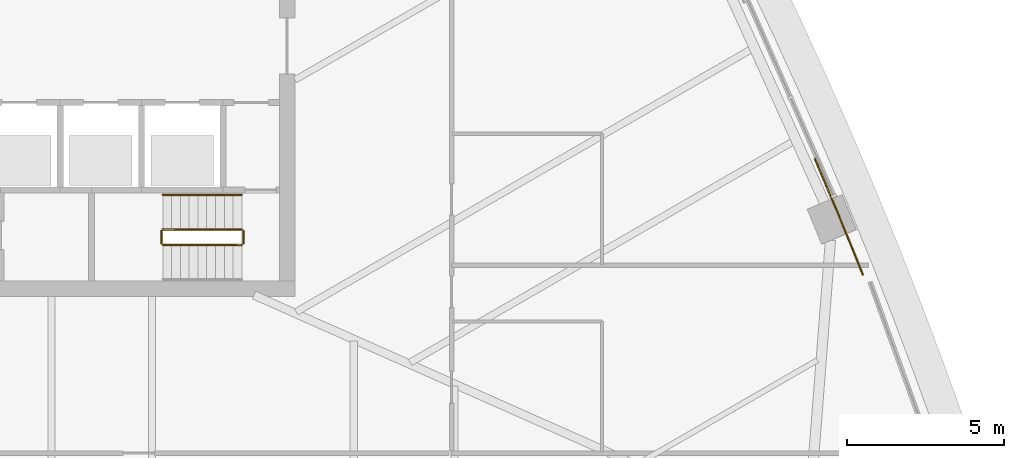
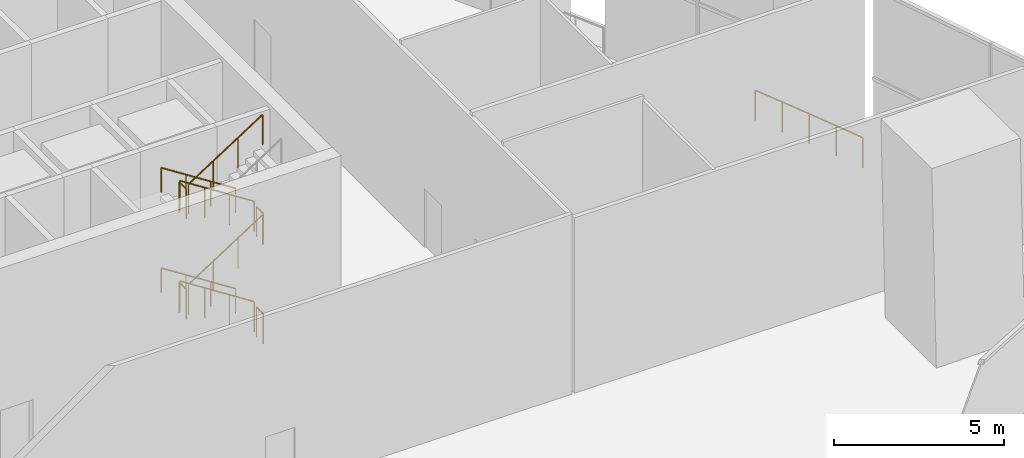
# One storey, part 19 of 23: 11 railings.
"""IFC4 building model written with IfcOpenShell, lengths in metres."""

from ifc_helpers import new_model, si_unit, direction, frame, origin, origin_2d, place, context, subcontext, project, spatial, circle, extrude, material, type_object, element, save


model = new_model("IFC4")

# Units and contexts
model_context = context("Model", 3, precision=1e-05, world=origin(), true_north=direction((0.0, 1.0)))
body_context = subcontext(model_context, "Body", "Model", "MODEL_VIEW")
ifc_project = project(units=[si_unit("LENGTHUNIT", "METRE"), si_unit("AREAUNIT", "SQUARE_METRE"), si_unit("VOLUMEUNIT", "CUBIC_METRE"), si_unit("PLANEANGLEUNIT", "RADIAN"), si_unit("MASSUNIT", "GRAM", prefix="KILO")], contexts=[model_context])

# Site, building, storey
site_placement = place(None, origin())
site = spatial("IfcSite", under=ifc_project, at=site_placement, CompositionType="ELEMENT")
building_placement = place(site_placement, origin())
building = spatial("IfcBuilding", under=site, at=building_placement, Name="Sierra Prisma Convention Tower", CompositionType="ELEMENT")
storey_placement = place(building_placement, frame((0.0, 0.0, 40.800048828125)))
storey = spatial("IfcBuildingStorey", under=building, at=storey_placement, Name="L06", CompositionType="ELEMENT", Elevation=40.800048828125)

# Railings
ifc_material_1 = material(Name="Stainless steel", Category="steel")
railing_type_1 = type_object("IfcRailingType", Name="Exit stair handrail", PredefinedType="HANDRAIL", material=ifc_material_1)
railing_1_placement = place(storey_placement, frame((9.300048828125, -4.75, 0.179931640625)))
element("IfcRailing", 1, at=railing_1_placement, inside=storey, type_object=railing_type_1, Name="L06 S2 stair handrail 1", PredefinedType="HANDRAIL", context=body_context, shape_type="SweptSolid", body=[
    extrude(circle(Radius=0.02392578125, at=origin_2d()), frame((0.0, 0.0, 0.8759765625), z_axis=(-0.841162588446, 0.0, 0.540782303519), x_axis=(0.0, -1.0, 0.0)), (0.0, 0.0, 1.0), 2.995849609375),
    extrude(circle(Radius=0.02099609375, at=origin_2d()), origin(), (0.0, 0.0, 1.0), 0.851806640625),
    extrude(circle(Radius=0.02099609375, at=origin_2d()), frame((-0.840087890625, 0.0, 0.5400390625)), (0.0, 0.0, 1.0), 0.851806640625),
    extrude(circle(Radius=0.02099609375, at=origin_2d()), frame((-1.679931640625, 0.0, 1.080078125)), (0.0, 0.0, 1.0), 0.851806640625),
    extrude(circle(Radius=0.02099609375, at=origin_2d()), frame((-2.52001953125, 0.0, 1.6201171875)), (0.0, 0.0, 1.0), 0.851806640625),
])
railing_2_placement = place(storey_placement, frame((9.300048828125, -4.75, 3.780029296875)))
element("IfcRailing", 2, at=railing_2_placement, inside=storey, type_object=railing_type_1, Name="L06 S2 stair handrail 3", PredefinedType="HANDRAIL", context=body_context, shape_type="SweptSolid", body=[
    extrude(circle(Radius=0.02392578125, at=origin_2d()), frame((0.0, 0.0, 0.8759765625), z_axis=(-0.841199657755, 0.0, 0.540724639528), x_axis=(0.0, -1.0, 0.0)), (0.0, 0.0, 1.0), 2.995849609375),
    extrude(circle(Radius=0.02099609375, at=origin_2d()), origin(), (0.0, 0.0, 1.0), 0.851806640625),
    extrude(circle(Radius=0.02099609375, at=origin_2d()), frame((-0.840087890625, 0.0, 0.5400390625)), (0.0, 0.0, 1.0), 0.851806640625),
    extrude(circle(Radius=0.02099609375, at=origin_2d()), frame((-1.679931640625, 0.0, 1.079833984375)), (0.0, 0.0, 1.0), 0.851806640625),
    extrude(circle(Radius=0.02099609375, at=origin_2d()), frame((-2.52001953125, 0.0, 1.619873046875)), (0.0, 0.0, 1.0), 0.851806640625),
])
ifc_material_2 = material(Name="Bronze anodised aluminium", Category="aluminium")
railing_type_2 = type_object("IfcRailingType", Name="Facade guard 1100", PredefinedType="GUARDRAIL", material=ifc_material_2)
railing_3_placement = place(storey_placement, frame((29.1279296875, -7.29541015625, 0.0)))
element("IfcRailing", 3, at=railing_3_placement, inside=storey, type_object=railing_type_2, Name="Facade guard", PredefinedType="GUARDRAIL", context=body_context, shape_type="SweptSolid", body=[
    extrude(circle(Radius=0.02392578125, at=origin_2d()), frame((0.0, 0.0, 1.076171875), z_axis=(-0.373379079752, 0.927678857582, 0.0), x_axis=(-0.927678857582, -0.373379079752, 0.0)), (0.0, 0.0, 1.0), 0.99462890625),
    extrude(circle(Radius=0.02392578125, at=origin_2d()), frame((-0.371337890625, 0.922607421875, 1.076171875), z_axis=(-0.377738944961, 0.925912139168, 0.0), x_axis=(-0.925912139168, -0.377738944961, 0.0)), (0.0, 0.0, 1.0), 0.999755859375),
    extrude(circle(Radius=0.02392578125, at=origin_2d()), frame((-0.7490234375, 1.848388671875, 1.076171875), z_axis=(-0.386618926463, 0.922239559822, 0.0), x_axis=(-0.922239559822, -0.386618926463, 0.0)), (0.0, 0.0, 1.0), 0.99462890625),
    extrude(circle(Radius=0.02392578125, at=origin_2d()), frame((-1.133544921875, 2.765625, 1.076171875), z_axis=(-0.390380556885, 0.920653583497, 0.0), x_axis=(-0.920653583497, -0.390380556885, 0.0)), (0.0, 0.0, 1.0), 1.0),
    extrude(circle(Radius=0.02099609375, at=origin_2d()), origin(), (0.0, 0.0, 1.0), 1.052001953125),
    extrude(circle(Radius=0.02099609375, at=origin_2d()), frame((-0.371337890625, 0.922607421875, 0.0)), (0.0, 0.0, 1.0), 1.052001953125),
    extrude(circle(Radius=0.02099609375, at=origin_2d()), frame((-0.7490234375, 1.848388671875, 0.0)), (0.0, 0.0, 1.0), 1.052001953125),
    extrude(circle(Radius=0.02099609375, at=origin_2d()), frame((-1.133544921875, 2.765625, 0.0)), (0.0, 0.0, 1.0), 1.052001953125),
    extrude(circle(Radius=0.02099609375, at=origin_2d()), frame((-1.52392578125, 3.686279296875, 0.0)), (0.0, 0.0, 1.0), 1.052001953125),
])
ifc_material_3 = material(Name="Stainless steel", Category="steel")
railing_type_3 = type_object("IfcRailingType", Name="Stair guard 1100", PredefinedType="GUARDRAIL", material=ifc_material_3)
railing_4_placement = place(storey_placement, frame((9.300048828125, -5.85009765625, 0.179931640625)))
element("IfcRailing", 4, at=railing_4_placement, inside=storey, type_object=railing_type_3, Name="L06 S2 stair guard 1", PredefinedType="GUARDRAIL", context=body_context, shape_type="SweptSolid", body=[
    extrude(circle(Radius=0.02392578125, at=origin_2d()), frame((0.0, 0.0, 1.076171875), z_axis=(-0.841162588446, 0.0, 0.540782303519), x_axis=(0.0, -1.0, 0.0)), (0.0, 0.0, 1.0), 2.995849609375),
    extrude(circle(Radius=0.02099609375, at=origin_2d()), origin(), (0.0, 0.0, 1.0), 1.052001953125),
    extrude(circle(Radius=0.02099609375, at=origin_2d()), frame((-0.840087890625, 0.0, 0.5400390625)), (0.0, 0.0, 1.0), 1.052001953125),
    extrude(circle(Radius=0.02099609375, at=origin_2d()), frame((-1.679931640625, 0.0, 1.080078125)), (0.0, 0.0, 1.0), 1.052001953125),
    extrude(circle(Radius=0.02099609375, at=origin_2d()), frame((-2.52001953125, 0.0, 1.6201171875)), (0.0, 0.0, 1.0), 1.052001953125),
])
railing_5_placement = place(storey_placement, frame((6.72998046875, -5.89990234375, 1.800048828125)))
element("IfcRailing", 5, at=railing_5_placement, inside=storey, type_object=railing_type_3, Name="L06 S2 stair guard 2", PredefinedType="GUARDRAIL", context=body_context, shape_type="SweptSolid", body=[
    extrude(circle(Radius=0.02392578125, at=origin_2d()), frame((0.0, 0.0, 1.076171875), z_axis=(0.0, -1.0, 0.0), x_axis=(1.0, 0.0, 0.0)), (0.0, 0.0, 1.0), 0.400146484375),
    extrude(circle(Radius=0.02099609375, at=origin_2d()), origin(), (0.0, 0.0, 1.0), 1.052001953125),
    extrude(circle(Radius=0.02099609375, at=origin_2d()), frame((0.0, -0.400146484375, 0.0)), (0.0, 0.0, 1.0), 1.052001953125),
])
railing_6_placement = place(storey_placement, frame((6.780029296875, -6.35009765625, 1.97998046875)))
element("IfcRailing", 6, at=railing_6_placement, inside=storey, type_object=railing_type_3, Name="L06 S2 stair guard 3", PredefinedType="GUARDRAIL", context=body_context, shape_type="SweptSolid", body=[
    extrude(circle(Radius=0.02392578125, at=origin_2d()), frame((0.0, 0.0, 1.076171875), z_axis=(0.841199657755, 0.0, 0.540724639528), x_axis=(0.0, 1.0, 0.0)), (0.0, 0.0, 1.0), 2.995849609375),
    extrude(circle(Radius=0.02099609375, at=origin_2d()), origin(), (0.0, 0.0, 1.0), 1.052001953125),
    extrude(circle(Radius=0.02099609375, at=origin_2d()), frame((0.840087890625, 0.0, 0.5400390625)), (0.0, 0.0, 1.0), 1.052001953125),
    extrude(circle(Radius=0.02099609375, at=origin_2d()), frame((1.679931640625, 0.0, 1.079833984375)), (0.0, 0.0, 1.0), 1.052001953125),
    extrude(circle(Radius=0.02099609375, at=origin_2d()), frame((2.52001953125, 0.0, 1.619873046875)), (0.0, 0.0, 1.0), 1.052001953125),
])
railing_7_placement = place(storey_placement, frame((9.35009765625, -5.89990234375, 3.599853515625)))
element("IfcRailing", 7, at=railing_7_placement, inside=storey, type_object=railing_type_3, Name="L06 S2 stair guard 4", PredefinedType="GUARDRAIL", context=body_context, shape_type="SweptSolid", body=[
    extrude(circle(Radius=0.02392578125, at=origin_2d()), frame((0.0, 0.0, 1.076171875), z_axis=(0.0, -1.0, 0.0), x_axis=(1.0, 0.0, 0.0)), (0.0, 0.0, 1.0), 0.400146484375),
    extrude(circle(Radius=0.02099609375, at=origin_2d()), origin(), (0.0, 0.0, 1.0), 1.052001953125),
    extrude(circle(Radius=0.02099609375, at=origin_2d()), frame((0.0, -0.400146484375, 0.0)), (0.0, 0.0, 1.0), 1.052001953125),
])
railing_8_placement = place(storey_placement, frame((9.300048828125, -5.85009765625, 3.780029296875)))
element("IfcRailing", 8, at=railing_8_placement, inside=storey, type_object=railing_type_3, Name="L06 S2 stair guard 5", PredefinedType="GUARDRAIL", context=body_context, shape_type="SweptSolid", body=[
    extrude(circle(Radius=0.02392578125, at=origin_2d()), frame((0.0, 0.0, 1.076171875), z_axis=(-0.841199657755, 0.0, 0.540724639528), x_axis=(0.0, -1.0, 0.0)), (0.0, 0.0, 1.0), 2.995849609375),
    extrude(circle(Radius=0.02099609375, at=origin_2d()), origin(), (0.0, 0.0, 1.0), 1.052001953125),
    extrude(circle(Radius=0.02099609375, at=origin_2d()), frame((-0.840087890625, 0.0, 0.5400390625)), (0.0, 0.0, 1.0), 1.052001953125),
    extrude(circle(Radius=0.02099609375, at=origin_2d()), frame((-1.679931640625, 0.0, 1.079833984375)), (0.0, 0.0, 1.0), 1.052001953125),
    extrude(circle(Radius=0.02099609375, at=origin_2d()), frame((-2.52001953125, 0.0, 1.619873046875)), (0.0, 0.0, 1.0), 1.052001953125),
])
railing_9_placement = place(storey_placement, frame((6.72998046875, -5.89990234375, 5.39990234375)))
element("IfcRailing", 9, at=railing_9_placement, inside=storey, type_object=railing_type_3, Name="L06 S2 stair guard 6", PredefinedType="GUARDRAIL", context=body_context, shape_type="SweptSolid", body=[
    extrude(circle(Radius=0.02392578125, at=origin_2d()), frame((0.0, 0.0, 1.076171875), z_axis=(0.0, -1.0, 0.0), x_axis=(1.0, 0.0, 0.0)), (0.0, 0.0, 1.0), 0.400146484375),
    extrude(circle(Radius=0.02099609375, at=origin_2d()), origin(), (0.0, 0.0, 1.0), 1.052001953125),
    extrude(circle(Radius=0.02099609375, at=origin_2d()), frame((0.0, -0.400146484375, 0.0)), (0.0, 0.0, 1.0), 1.052001953125),
])
railing_10_placement = place(storey_placement, frame((6.780029296875, -6.35009765625, 5.579833984375)))
element("IfcRailing", 10, at=railing_10_placement, inside=storey, type_object=railing_type_3, Name="L06 S2 stair guard 7", PredefinedType="GUARDRAIL", context=body_context, shape_type="SweptSolid", body=[
    extrude(circle(Radius=0.02392578125, at=origin_2d()), frame((0.0, 0.0, 1.076171875), z_axis=(0.841162588446, 0.0, 0.540782303519), x_axis=(0.0, 1.0, 0.0)), (0.0, 0.0, 1.0), 2.995849609375),
    extrude(circle(Radius=0.02099609375, at=origin_2d()), origin(), (0.0, 0.0, 1.0), 1.052001953125),
    extrude(circle(Radius=0.02099609375, at=origin_2d()), frame((0.840087890625, 0.0, 0.5400390625)), (0.0, 0.0, 1.0), 1.052001953125),
    extrude(circle(Radius=0.02099609375, at=origin_2d()), frame((1.679931640625, 0.0, 1.080078125)), (0.0, 0.0, 1.0), 1.052001953125),
    extrude(circle(Radius=0.02099609375, at=origin_2d()), frame((2.52001953125, 0.0, 1.6201171875)), (0.0, 0.0, 1.0), 1.052001953125),
])
railing_11_placement = place(storey_placement, frame((9.35009765625, -5.89990234375, 0.0)))
element("IfcRailing", 11, at=railing_11_placement, inside=storey, type_object=railing_type_3, Name="L06 S2 stair guard 8", PredefinedType="GUARDRAIL", context=body_context, shape_type="SweptSolid", body=[
    extrude(circle(Radius=0.02392578125, at=origin_2d()), frame((0.0, 0.0, 1.076171875), z_axis=(0.0, -1.0, 0.0), x_axis=(1.0, 0.0, 0.0)), (0.0, 0.0, 1.0), 0.400146484375),
    extrude(circle(Radius=0.02099609375, at=origin_2d()), origin(), (0.0, 0.0, 1.0), 1.052001953125),
    extrude(circle(Radius=0.02099609375, at=origin_2d()), frame((0.0, -0.400146484375, 0.0)), (0.0, 0.0, 1.0), 1.052001953125),
])

save(model, "model.ifc")
